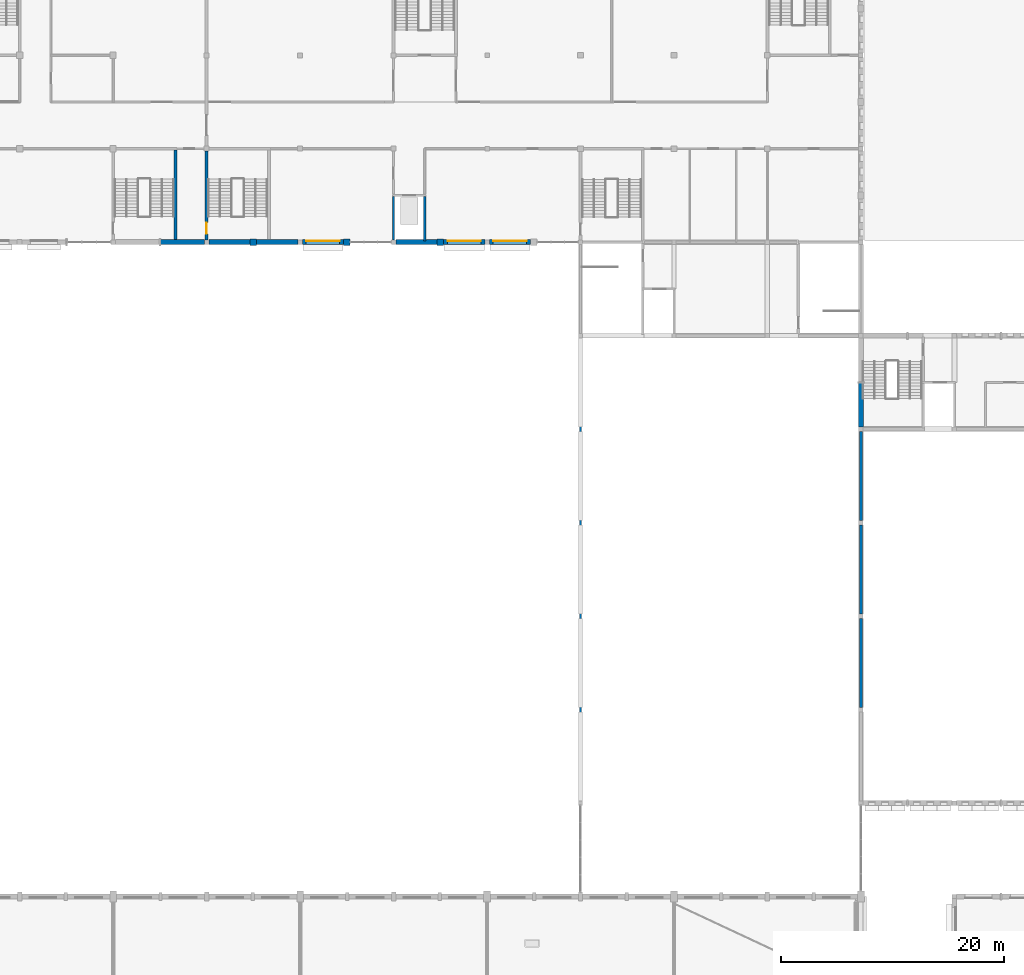
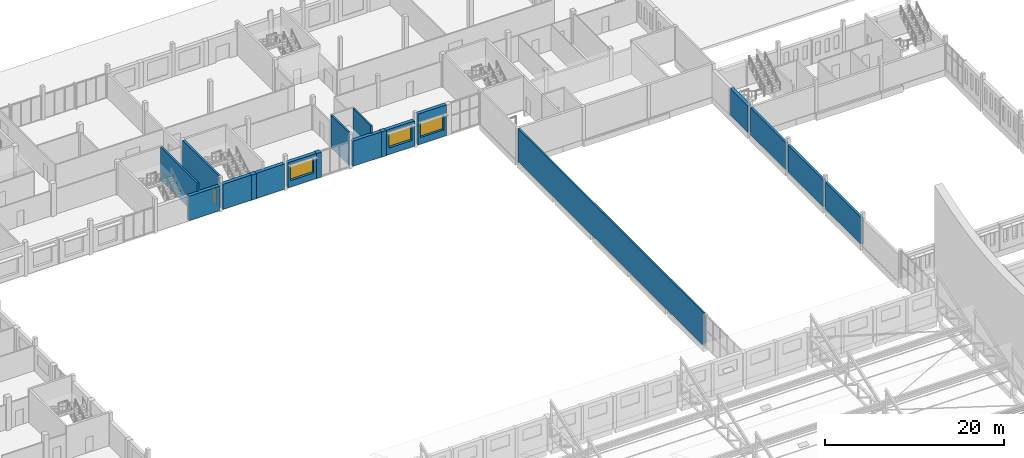
# One storey, part 81 of 101: 19 walls, 3 windows, 1 door, 4 openings.
"""IFC4 building model written with IfcOpenShell, lengths in metres."""

from ifc_helpers import new_model, si_unit, direction, frame, frame_2d, origin, place, context, subcontext, project, spatial, rectangle, extrude, material, layer, layer_set, type_object, element, fill, save


model = new_model("IFC4")

# Units and contexts
model_context = context("Model", 3, precision=1e-05, world=origin(), true_north=direction((0.0, 1.0)))
body_context = subcontext(model_context, "Body", "Model", "MODEL_VIEW")
ifc_project = project(units=[si_unit("LENGTHUNIT", "METRE"), si_unit("AREAUNIT", "SQUARE_METRE"), si_unit("VOLUMEUNIT", "CUBIC_METRE"), si_unit("PLANEANGLEUNIT", "RADIAN"), si_unit("MASSUNIT", "GRAM", prefix="KILO")], contexts=[model_context])

# Site, building, storey
site_placement = place(None, origin())
site = spatial("IfcSite", under=ifc_project, at=site_placement, CompositionType="ELEMENT")
building_placement = place(site_placement, origin())
building = spatial("IfcBuilding", under=site, at=building_placement, Name="Fescue Hill Polytechnic", CompositionType="ELEMENT")
storey_placement = place(building_placement, frame((0.0, 0.0, 9.0)))
storey = spatial("IfcBuildingStorey", under=building, at=storey_placement, Name="L02", CompositionType="ELEMENT", Elevation=9.0)

# Walls
ifc_material_1 = material(Name="Clay brick masonry", Category="masonry")
ifc_layer_1 = layer(ifc_material_1, 0.550048828125)
ifc_layer_set_1 = layer_set([ifc_layer_1], Name="Clay brick masonry")
wall_type_1 = type_object("IfcWallType", Name="Brick pier 600x550", PredefinedType="SOLIDWALL", material=ifc_layer_set_1)
wall_1_placement = place(storey_placement, frame((62.699951171875, 109.199951171875, 0.0), z_axis=(0.0, 0.0, 1.0), x_axis=(1.0, 0.0, 0.0)))
element("IfcWall", 1, at=wall_1_placement, inside=storey, type_object=wall_type_1, Name="PR-L02-V4b-11", PredefinedType="SOLIDWALL", context=body_context, shape_type="SweptSolid", body=[
    extrude(rectangle(XDim=0.60009765625, YDim=0.550048828125, at=frame_2d((0.300048828125, 0.0))), origin(), (0.0, 0.0, 1.0), 3.449951171875),
])
wall_2_placement = place(storey_placement, frame((71.10009765625, 109.199951171875, 0.0), z_axis=(0.0, 0.0, 1.0), x_axis=(1.0, 0.0, 0.0)))
element("IfcWall", 2, at=wall_2_placement, inside=storey, type_object=wall_type_1, Name="PR-L02-V4b-12", PredefinedType="SOLIDWALL", context=body_context, shape_type="SweptSolid", body=[
    extrude(rectangle(XDim=0.599853515625, YDim=0.550048828125, at=frame_2d((0.2998046875, 0.0))), origin(), (0.0, 0.0, 1.0), 3.449951171875),
])
wall_3_placement = place(storey_placement, frame((79.5, 109.199951171875, 0.0), z_axis=(0.0, 0.0, 1.0), x_axis=(1.0, 0.0, 0.0)))
element("IfcWall", 3, at=wall_3_placement, inside=storey, type_object=wall_type_1, Name="PR-L02-V4b-13", PredefinedType="SOLIDWALL", context=body_context, shape_type="SweptSolid", body=[
    extrude(rectangle(XDim=0.60009765625, YDim=0.550048828125, at=frame_2d((0.300048828125, 0.0))), origin(), (0.0, 0.0, 1.0), 3.449951171875),
])

# Wall, opening, door
ifc_material_2 = material(Name="Concrete 40 MPa", Category="concrete")
ifc_layer_2 = layer(ifc_material_2, 0.25)
ifc_layer_set_2 = layer_set([ifc_layer_2], Name="Concrete 40 MPa")
wall_type_2 = type_object("IfcWallType", Name="Core wall 250", PredefinedType="SHEAR", material=ifc_layer_set_2)
wall_4_placement = place(storey_placement, frame((58.800048828125, 109.39990234375, 0.0), z_axis=(0.0, 0.0, 1.0), x_axis=(0.0, 1.0, 0.0)))
wall_4 = element("IfcWall", 4, at=wall_4_placement, inside=storey, type_object=wall_type_2, Name="CW-L02-ST-V4b-1-31", PredefinedType="SHEAR", context=body_context, shape_type="SweptSolid", body=[
    extrude(rectangle(XDim=7.97509765625, YDim=0.25, at=frame_2d((3.987548828125, 0.0))), origin(), (0.0, 0.0, 1.0), 4.5),
])
opening_1_placement = place(wall_4_placement, frame((0.550048828125, 0.0, 0.0)))
opening_1 = element("IfcOpeningElement", 5, at=opening_1_placement, cuts=wall_4, Name="Opening D2095", PredefinedType="OPENING", context=body_context, shape_type="SweptSolid", body=[
    extrude(rectangle(XDim=1.0, YDim=2.10009765625, at=frame_2d((0.5, 1.050048828125))), frame((0.0, 0.135009765625, 0.0), z_axis=(0.0, -1.0, 0.0), x_axis=(1.0, 0.0, 0.0)), (0.0, 0.0, 1.0), 0.27001953125),
])
ifc_material_3 = material(Name="Steel fire door", Category="steel")
door_type = type_object("IfcDoorType", Name="Door single swing 1000x2100 stair fire rated", OperationType="NOTDEFINED", PredefinedType="DOOR", material=ifc_material_3)
door_placement = place(opening_1_placement, origin())
door = element("IfcDoor", 6, at=door_placement, inside=storey, type_object=door_type, Name="L02 ST-V4b-1 stair door", OperationType="SINGLE_SWING_LEFT", OverallHeight=2.10009765625, OverallWidth=1.0, PredefinedType="DOOR", context=body_context, shape_type="SweptSolid", body=[
    extrude(rectangle(XDim=1.0, YDim=2.10009765625, at=frame_2d((0.5, 1.050048828125))), frame((0.0, 0.02490234375, 0.0), z_axis=(0.0, -1.0, 0.0), x_axis=(1.0, 0.0, 0.0)), (0.0, 0.0, 1.0), 0.050048828125),
])
fill(opening_1, door)

# Walls
wall_5_placement = place(storey_placement, frame((56.0, 109.324951171875, 0.0), z_axis=(0.0, 0.0, 1.0), x_axis=(0.0, 1.0, 0.0)))
element("IfcWall", 7, at=wall_5_placement, inside=storey, type_object=wall_type_2, Name="CW-L02-ST-V5-4-41", PredefinedType="SHEAR", context=body_context, shape_type="SweptSolid", body=[
    extrude(rectangle(XDim=8.150146484375, YDim=0.25, at=frame_2d((4.0751953125, 0.0))), origin(), (0.0, 0.0, 1.0), 4.5),
])
ifc_material_4 = material(Name="Glass", Category="glass")
ifc_layer_3 = layer(ifc_material_4, 0.199951171875)
ifc_layer_set_3 = layer_set([ifc_layer_3], Name="Glass")
wall_type_3 = type_object("IfcWallType", Name="Entrance frame wall metal and glass 200", PredefinedType="SOLIDWALL", material=ifc_layer_set_3)
wall_6_placement = place(storey_placement, frame((92.39990234375, 100.60009765625, 0.0), z_axis=(0.0, 0.0, 1.0), x_axis=(0.0, -1.0, 0.0)))
element("IfcWall", 8, at=wall_6_placement, inside=storey, type_object=wall_type_3, Name="EW-L02-V6-6", PredefinedType="SOLIDWALL", context=body_context, shape_type="SweptSolid", body=[
    extrude(rectangle(XDim=41.60009765625, YDim=0.199951171875, at=frame_2d((20.800048828125, 0.0))), origin(), (0.0, 0.0, 1.0), 4.5),
])

# Wall, opening, window
ifc_layer_4 = layer(ifc_material_2, 0.449951171875)
ifc_layer_set_4 = layer_set([ifc_layer_4], Name="Concrete 40 MPa")
wall_type_4 = type_object("IfcWallType", Name="Exterior wall board-marked concrete 450", PredefinedType="SOLIDWALL", material=ifc_layer_set_4)
wall_7_placement = place(storey_placement, frame((67.39990234375, 109.199951171875, 0.0), z_axis=(0.0, 0.0, 1.0), x_axis=(1.0, 0.0, 0.0)))
wall_7 = element("IfcWall", 9, at=wall_7_placement, inside=storey, type_object=wall_type_4, Name="EW-L02-V4b-23", PredefinedType="SOLIDWALL", context=body_context, shape_type="SweptSolid", body=[
    extrude(rectangle(XDim=3.7001953125, YDim=0.449951171875, at=frame_2d((1.85009765625, 0.0))), origin(), (0.0, 0.0, 1.0), 3.449951171875),
])
opening_2_placement = place(wall_7_placement, frame((0.35009765625, 0.0, 0.89990234375)))
opening_2 = element("IfcOpeningElement", 10, at=opening_2_placement, cuts=wall_7, Name="Opening W5", PredefinedType="OPENING", context=body_context, shape_type="SweptSolid", body=[
    extrude(rectangle(XDim=3.0, YDim=2.10009765625, at=frame_2d((1.5, 1.050048828125))), frame((0.0, 0.23486328125, 0.0), z_axis=(0.0, -1.0, 0.0), x_axis=(1.0, 0.0, 0.0)), (0.0, 0.0, 1.0), 0.469970703125),
])
ifc_material_5 = material(Name="Powder-coated aluminium and glass", Category="aluminium")
window_type = type_object("IfcWindowType", Name="Window studio large 3000x2100", PartitioningType="SINGLE_PANEL", PredefinedType="WINDOW", material=ifc_material_5)
window_1_placement = place(opening_2_placement, origin())
window_1 = element("IfcWindow", 11, at=window_1_placement, inside=storey, type_object=window_type, Name="WN-L02-V4b-26", OverallHeight=2.10009765625, OverallWidth=3.0, PartitioningType="SINGLE_PANEL", PredefinedType="WINDOW", context=body_context, shape_type="SweptSolid", body=[
    extrude(rectangle(XDim=3.0, YDim=2.10009765625, at=frame_2d((1.5, 1.050048828125))), frame((0.0, 0.135009765625, 0.0), z_axis=(0.0, -1.0, 0.0), x_axis=(1.0, 0.0, 0.0)), (0.0, 0.0, 1.0), 0.06005859375),
])
fill(opening_2, window_1)

# Wall
wall_8_placement = place(storey_placement, frame((75.800048828125, 109.199951171875, 0.0), z_axis=(0.0, 0.0, 1.0), x_axis=(1.0, 0.0, 0.0)))
element("IfcWall", 12, at=wall_8_placement, inside=storey, type_object=wall_type_4, Name="EW-L02-V4b-25", PredefinedType="SOLIDWALL", context=body_context, shape_type="SweptSolid", body=[
    extrude(rectangle(XDim=3.699951171875, YDim=0.449951171875, at=frame_2d((1.85009765625, 0.0))), origin(), (0.0, 0.0, 1.0), 3.449951171875),
])

# Wall, opening, window
wall_9_placement = place(storey_placement, frame((80.10009765625, 109.199951171875, 0.0), z_axis=(0.0, 0.0, 1.0), x_axis=(1.0, 0.0, 0.0)))
wall_9 = element("IfcWall", 13, at=wall_9_placement, inside=storey, type_object=wall_type_4, Name="EW-L02-V4b-26", PredefinedType="SOLIDWALL", context=body_context, shape_type="SweptSolid", body=[
    extrude(rectangle(XDim=3.699951171875, YDim=0.449951171875, at=frame_2d((1.85009765625, 0.0))), origin(), (0.0, 0.0, 1.0), 3.449951171875),
])
opening_3_placement = place(wall_9_placement, frame((0.35009765625, 0.0, 0.89990234375)))
opening_3 = element("IfcOpeningElement", 14, at=opening_3_placement, cuts=wall_9, Name="Opening W5", PredefinedType="OPENING", context=body_context, shape_type="SweptSolid", body=[
    extrude(rectangle(XDim=3.0, YDim=2.10009765625, at=frame_2d((1.5, 1.050048828125))), frame((0.0, 0.23486328125, 0.0), z_axis=(0.0, -1.0, 0.0), x_axis=(1.0, 0.0, 0.0)), (0.0, 0.0, 1.0), 0.469970703125),
])
window_2_placement = place(opening_3_placement, origin())
window_2 = element("IfcWindow", 15, at=window_2_placement, inside=storey, type_object=window_type, Name="WN-L02-V4b-27", OverallHeight=2.10009765625, OverallWidth=3.0, PartitioningType="SINGLE_PANEL", PredefinedType="WINDOW", context=body_context, shape_type="SweptSolid", body=[
    extrude(rectangle(XDim=3.0, YDim=2.10009765625, at=frame_2d((1.5, 1.050048828125))), frame((0.0, 0.135009765625, 0.0), z_axis=(0.0, -1.0, 0.0), x_axis=(1.0, 0.0, 0.0)), (0.0, 0.0, 1.0), 0.06005859375),
])
fill(opening_3, window_2)

wall_10_placement = place(storey_placement, frame((84.199951171875, 109.199951171875, 0.0), z_axis=(0.0, 0.0, 1.0), x_axis=(1.0, 0.0, 0.0)))
wall_10 = element("IfcWall", 16, at=wall_10_placement, inside=storey, type_object=wall_type_4, Name="EW-L02-V4b-27", PredefinedType="SOLIDWALL", context=body_context, shape_type="SweptSolid", body=[
    extrude(rectangle(XDim=3.699951171875, YDim=0.449951171875, at=frame_2d((1.85009765625, 0.0))), origin(), (0.0, 0.0, 1.0), 4.199951171875),
])
opening_4_placement = place(wall_10_placement, frame((0.35009765625, 0.0, 0.89990234375)))
opening_4 = element("IfcOpeningElement", 17, at=opening_4_placement, cuts=wall_10, Name="Opening W5", PredefinedType="OPENING", context=body_context, shape_type="SweptSolid", body=[
    extrude(rectangle(XDim=3.0, YDim=2.10009765625, at=frame_2d((1.5, 1.050048828125))), frame((0.0, 0.23486328125, 0.0), z_axis=(0.0, -1.0, 0.0), x_axis=(1.0, 0.0, 0.0)), (0.0, 0.0, 1.0), 0.469970703125),
])
window_3_placement = place(opening_4_placement, origin())
window_3 = element("IfcWindow", 18, at=window_3_placement, inside=storey, type_object=window_type, Name="WN-L02-V4b-28", OverallHeight=2.10009765625, OverallWidth=3.0, PartitioningType="SINGLE_PANEL", PredefinedType="WINDOW", context=body_context, shape_type="SweptSolid", body=[
    extrude(rectangle(XDim=3.0, YDim=2.10009765625, at=frame_2d((1.5, 1.050048828125))), frame((0.0, 0.135009765625, 0.0), z_axis=(0.0, -1.0, 0.0), x_axis=(1.0, 0.0, 0.0)), (0.0, 0.0, 1.0), 0.06005859375),
])
fill(opening_4, window_3)

# Walls
ifc_layer_5 = layer(ifc_material_2, 0.449951171875)
ifc_layer_set_5 = layer_set([ifc_layer_5], Name="Concrete 40 MPa")
wall_type_5 = type_object("IfcWallType", Name="Exterior wall board-marked concrete 450 load-bearing", PredefinedType="SOLIDWALL", material=ifc_layer_set_5)
wall_11_placement = place(storey_placement, frame((117.60009765625, 96.5400390625, 0.0), z_axis=(0.0, 0.0, 1.0), x_axis=(0.0, -1.0, 0.0)))
element("IfcWall", 19, at=wall_11_placement, inside=storey, type_object=wall_type_5, Name="EW-L02-V2-2", PredefinedType="SOLIDWALL", context=body_context, shape_type="SweptSolid", body=[
    extrude(rectangle(XDim=3.93994140625, YDim=0.449951171875, at=frame_2d((1.969970703125, 0.0))), origin(), (0.0, 0.0, 1.0), 3.64990234375),
])
wall_12_placement = place(storey_placement, frame((54.659912109375, 109.199951171875, 0.0), z_axis=(0.0, 0.0, 1.0), x_axis=(1.0, 0.0, 0.0)))
element("IfcWall", 20, at=wall_12_placement, inside=storey, type_object=wall_type_5, Name="EW-L02-V5-21", PredefinedType="SOLIDWALL", context=body_context, shape_type="SweptSolid", body=[
    extrude(rectangle(XDim=3.940185546875, YDim=0.449951171875, at=frame_2d((1.97021484375, 0.0))), origin(), (0.0, 0.0, 1.0), 3.35009765625),
])
for number, where, z_axis, x_axis, name in (
    (21, (59.0, 109.199951171875, 0.0), (0.0, 0.0, 1.0), (1.0, 0.0, 0.0), "EW-L02-V4b-21"),
    (22, (63.300048828125, 109.199951171875, 0.0), (0.0, 0.0, 1.0), (1.0, 0.0, 0.0), "EW-L02-V4b-22"),
):
    element("IfcWall", number, at=place(storey_placement, frame(where, z_axis=z_axis, x_axis=x_axis)), inside=storey, type_object=wall_type_5, Name=name, PredefinedType="SOLIDWALL", context=body_context, shape_type="SweptSolid", body=[
        extrude(rectangle(XDim=3.699951171875, YDim=0.449951171875, at=frame_2d((1.85009765625, 0.0))), origin(), (0.0, 0.0, 1.0), 3.449951171875),
    ])
ifc_layer_6 = layer(ifc_material_2, 0.300048828125)
ifc_layer_set_6 = layer_set([ifc_layer_6], Name="Concrete 40 MPa")
wall_type_6 = type_object("IfcWallType", Name="Hall wall concrete 300 fire rated", PredefinedType="SOLIDWALL", material=ifc_layer_set_6)
for number, where, z_axis, x_axis, name in (
    (23, (117.60009765625, 92.199951171875, 0.0), (0.0, 0.0, 1.0), (0.0, -1.0, 0.0), "EW-L02-V2-28"),
    (24, (117.60009765625, 83.800048828125, 0.0), (0.0, 0.0, 1.0), (0.0, -1.0, 0.0), "EW-L02-V2-29"),
    (25, (117.60009765625, 75.39990234375, 0.0), (0.0, 0.0, 1.0), (0.0, -1.0, 0.0), "EW-L02-V2-30"),
):
    element("IfcWall", number, at=place(storey_placement, frame(where, z_axis=z_axis, x_axis=x_axis)), inside=storey, type_object=wall_type_6, Name=name, PredefinedType="SOLIDWALL", context=body_context, shape_type="SweptSolid", body=[
        extrude(rectangle(XDim=8.0, YDim=0.300048828125, at=frame_2d((4.0, 0.0))), origin(), (0.0, 0.0, 1.0), 3.64990234375),
    ])
ifc_layer_7 = layer(ifc_material_2, 0.199951171875)
ifc_layer_set_7 = layer_set([ifc_layer_7], Name="Concrete 40 MPa")
wall_type_7 = type_object("IfcWallType", Name="Lift shaft wall 200", PredefinedType="SHEAR", material=ifc_layer_set_7)
wall_13_placement = place(storey_placement, frame((75.60009765625, 109.39990234375, 0.0), z_axis=(0.0, 0.0, 1.0), x_axis=(0.0, 1.0, 0.0)))
element("IfcWall", 26, at=wall_13_placement, inside=storey, type_object=wall_type_7, Name="CW-L02-LF-V4b-1-31", PredefinedType="SHEAR", context=body_context, shape_type="SweptSolid", body=[
    extrude(rectangle(XDim=3.900146484375, YDim=0.199951171875, at=frame_2d((1.9501953125, 0.0))), origin(), (0.0, 0.0, 1.0), 4.5),
])
wall_14_placement = place(storey_placement, frame((78.39990234375, 109.300048828125, 0.0), z_axis=(0.0, 0.0, 1.0), x_axis=(0.0, 1.0, 0.0)))
element("IfcWall", 27, at=wall_14_placement, inside=storey, type_object=wall_type_7, Name="CW-L02-LF-V4b-1-41", PredefinedType="SHEAR", context=body_context, shape_type="SweptSolid", body=[
    extrude(rectangle(XDim=4.0, YDim=0.199951171875, at=frame_2d((2.0, 0.0))), origin(), (0.0, 0.0, 1.0), 4.5),
])

save(model, "model.ifc")
